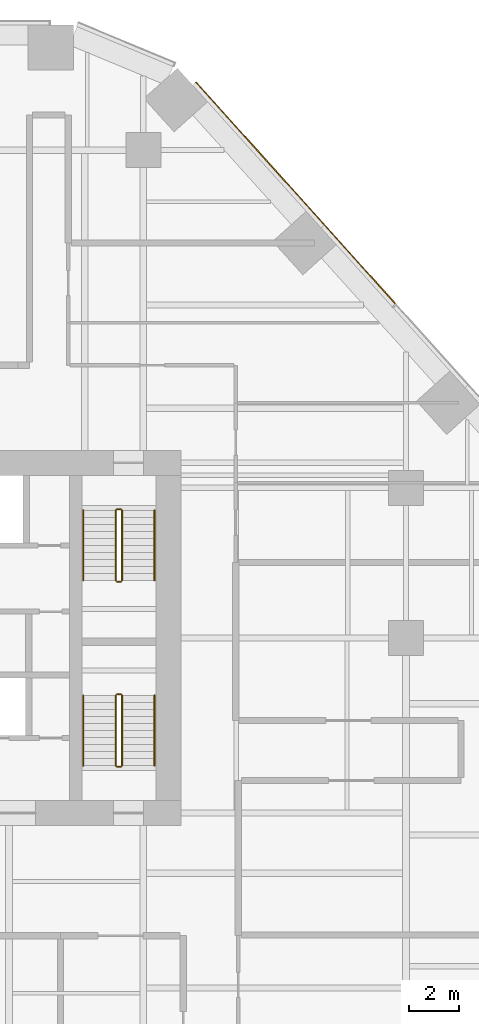
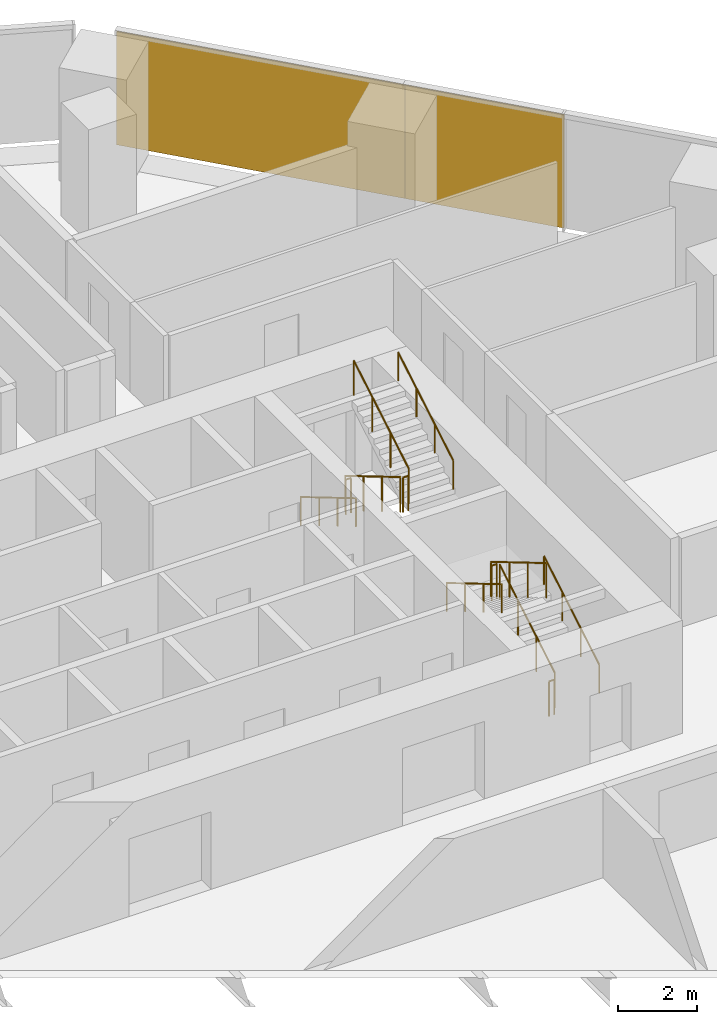
# One storey, part 20 of 21: 12 railings, 2 coverings, 1 element without a shape of its own.
"""IFC4 building model written with IfcOpenShell, lengths in metres."""

from ifc_helpers import new_model, si_unit, direction, frame, origin, origin_2d, place, context, subcontext, project, spatial, rectangle, circle, extrude, material, layer, layer_set, type_object, element, aggregate, save


model = new_model("IFC4")

# Units and contexts
model_context = context("Model", 3, precision=1e-05, world=origin(), true_north=direction((0.0, 1.0)))
body_context = subcontext(model_context, "Body", "Model", "MODEL_VIEW")
ifc_project = project(units=[si_unit("LENGTHUNIT", "METRE"), si_unit("AREAUNIT", "SQUARE_METRE"), si_unit("VOLUMEUNIT", "CUBIC_METRE"), si_unit("PLANEANGLEUNIT", "RADIAN"), si_unit("MASSUNIT", "GRAM", prefix="KILO")], contexts=[model_context])

# Site, building, storey
site_placement = place(None, origin())
site = spatial("IfcSite", under=ifc_project, at=site_placement, CompositionType="ELEMENT")
building_placement = place(site_placement, origin())
building = spatial("IfcBuilding", under=site, at=building_placement, Name="Isthmus Gate Tower", CompositionType="ELEMENT")
storey_placement = place(building_placement, frame((0.0, 0.0, 46.949951171875)))
storey = spatial("IfcBuildingStorey", under=building, at=storey_placement, Name="L09", CompositionType="ELEMENT", Elevation=46.949951171875)

# Curtain wall, coverings
ifc_material_1 = material(Name="Aluminium, pale champagne anodised", Category="aluminium")
ifc_layer_1 = layer(ifc_material_1, 0.199951171875)
ifc_layer_set_1 = layer_set([ifc_layer_1], Name="CW-1 UNITISED CURTAIN WALL 200 DEEP")
curtain_wall_type = type_object("IfcCurtainWallType", Name="CW-1 UNITISED CURTAIN WALL 200 DEEP", PredefinedType="NOTDEFINED", material=ifc_layer_set_1)
curtain_wall_placement = place(storey_placement, origin())
curtain_wall = element("IfcCurtainWall", 1, at=curtain_wall_placement, inside=storey, type_object=curtain_wall_type, Name="CW-1 NE L09", PredefinedType="NOTDEFINED")
ifc_material_2 = material(Name="Aluminium composite panel, pale champagne anodised", Category="aluminium")
ifc_layer_2 = layer(ifc_material_2, 0.0400390625)
ifc_layer_set_2 = layer_set([ifc_layer_2], Name="CW-1 PALE METAL PANEL 40")
covering_type = type_object("IfcCoveringType", Name="CW-1 PALE METAL PANEL 40", PredefinedType="CLADDING", material=ifc_layer_set_2)
covering_1_placement = place(storey_placement, frame((22.1630859375, 22.4326171875, 0.0), z_axis=(0.0, 0.0, 1.0), x_axis=(-0.669130606359, 0.743144825477, 0.0)))
covering_1 = element("IfcCovering", 2, at=covering_1_placement, type_object=covering_type, Name="CW-1 pale metal panel", PredefinedType="CLADDING", context=body_context, shape_type="SweptSolid", body=[
    extrude(rectangle(XDim=4.234619140625, YDim=0.0400390625, at=origin_2d()), origin(), (0.0, 0.0, 1.0), 3.5),
])
covering_2_placement = place(storey_placement, frame((18.173583984375, 26.86328125, 0.0), z_axis=(0.0, 0.0, 1.0), x_axis=(-0.669130606359, 0.743144825477, 0.0)))
covering_2 = element("IfcCovering", 3, at=covering_2_placement, type_object=covering_type, Name="CW-1 pale metal panel", PredefinedType="CLADDING", context=body_context, shape_type="SweptSolid", body=[
    extrude(rectangle(XDim=7.689453125, YDim=0.0400390625, at=origin_2d()), origin(), (0.0, 0.0, 1.0), 3.5),
])
aggregate(curtain_wall, [covering_1, covering_2])

# Railings
ifc_material_3 = material(Name="Stainless steel balustrade", Category="steel")
railing_type_1 = type_object("IfcRailingType", Name="STAIR GUARD 1100", PredefinedType="GUARDRAIL", material=ifc_material_3)
railing_1_placement = place(storey_placement, frame((12.39990234375, 12.60009765625, 0.166015625)))
element("IfcRailing", 4, at=railing_1_placement, inside=storey, type_object=railing_type_1, Name="L09 ST2 stair guard 1", PredefinedType="GUARDRAIL", context=body_context, shape_type="SweptSolid", body=[
    extrude(circle(Radius=0.02392578125, at=origin_2d()), frame((0.0, 0.0, 1.076171875), z_axis=(0.0, -0.860339051648, 0.50972219513), x_axis=(1.0, 0.0, 0.0)), (0.0, 0.0, 1.0), 3.254638671875),
    extrude(circle(Radius=0.02099609375, at=origin_2d()), origin(), (0.0, 0.0, 1.0), 1.052001953125),
    extrude(circle(Radius=0.02099609375, at=origin_2d()), frame((0.0, -0.933349609375, 0.552978515625)), (0.0, 0.0, 1.0), 1.052001953125),
    extrude(circle(Radius=0.02099609375, at=origin_2d()), frame((0.0, -1.86669921875, 1.10595703125)), (0.0, 0.0, 1.0), 1.052001953125),
    extrude(circle(Radius=0.02099609375, at=origin_2d()), frame((0.0, -2.800048828125, 1.658935546875)), (0.0, 0.0, 1.0), 1.052001953125),
])
railing_2_placement = place(storey_placement, frame((12.449951171875, 9.75, 1.824951171875)))
element("IfcRailing", 5, at=railing_2_placement, inside=storey, type_object=railing_type_1, Name="L09 ST2 stair guard 2", PredefinedType="GUARDRAIL", context=body_context, shape_type="SweptSolid", body=[
    extrude(circle(Radius=0.02392578125, at=origin_2d()), frame((0.0, 0.0, 1.076171875), z_axis=(1.0, 0.0, 0.0), x_axis=(0.0, 1.0, 0.0)), (0.0, 0.0, 1.0), 0.150146484375),
    extrude(circle(Radius=0.02099609375, at=origin_2d()), origin(), (0.0, 0.0, 1.0), 1.052001953125),
    extrude(circle(Radius=0.02099609375, at=origin_2d()), frame((0.150146484375, 0.0, 0.0)), (0.0, 0.0, 1.0), 1.052001953125),
])
railing_3_placement = place(storey_placement, frame((12.64990234375, 9.800048828125, 1.990966796875)))
element("IfcRailing", 6, at=railing_3_placement, inside=storey, type_object=railing_type_1, Name="L09 ST2 stair guard 3", PredefinedType="GUARDRAIL", context=body_context, shape_type="SweptSolid", body=[
    extrude(circle(Radius=0.02392578125, at=origin_2d()), frame((0.0, 0.0, 1.076171875), z_axis=(0.0, 0.860306154799, 0.50977771628), x_axis=(-1.0, 0.0, 0.0)), (0.0, 0.0, 1.0), 3.254638671875),
    extrude(circle(Radius=0.02099609375, at=origin_2d()), origin(), (0.0, 0.0, 1.0), 1.052001953125),
    extrude(circle(Radius=0.02099609375, at=origin_2d()), frame((0.0, 0.933349609375, 0.552978515625)), (0.0, 0.0, 1.0), 1.052001953125),
    extrude(circle(Radius=0.02099609375, at=origin_2d()), frame((0.0, 1.86669921875, 1.106201171875)), (0.0, 0.0, 1.0), 1.052001953125),
    extrude(circle(Radius=0.02099609375, at=origin_2d()), frame((0.0, 2.800048828125, 1.6591796875)), (0.0, 0.0, 1.0), 1.052001953125),
])
railing_4_placement = place(storey_placement, frame((12.449951171875, 12.64990234375, 0.0)))
element("IfcRailing", 7, at=railing_4_placement, inside=storey, type_object=railing_type_1, Name="L09 ST2 stair guard 4", PredefinedType="GUARDRAIL", context=body_context, shape_type="SweptSolid", body=[
    extrude(circle(Radius=0.02392578125, at=origin_2d()), frame((0.0, 0.0, 1.076171875), z_axis=(1.0, 0.0, 0.0), x_axis=(0.0, 1.0, 0.0)), (0.0, 0.0, 1.0), 0.150146484375),
    extrude(circle(Radius=0.02099609375, at=origin_2d()), origin(), (0.0, 0.0, 1.0), 1.052001953125),
    extrude(circle(Radius=0.02099609375, at=origin_2d()), frame((0.150146484375, 0.0, 0.0)), (0.0, 0.0, 1.0), 1.052001953125),
])
railing_5_placement = place(storey_placement, frame((12.64990234375, 2.39990234375, 0.166015625)))
element("IfcRailing", 8, at=railing_5_placement, inside=storey, type_object=railing_type_1, Name="L09 ST8 stair guard 1", PredefinedType="GUARDRAIL", context=body_context, shape_type="SweptSolid", body=[
    extrude(circle(Radius=0.02392578125, at=origin_2d()), frame((0.0, 0.0, 1.076171875), z_axis=(0.0, 0.860339051648, 0.50972219513), x_axis=(-1.0, 0.0, 0.0)), (0.0, 0.0, 1.0), 3.254638671875),
    extrude(circle(Radius=0.02099609375, at=origin_2d()), origin(), (0.0, 0.0, 1.0), 1.052001953125),
    extrude(circle(Radius=0.02099609375, at=origin_2d()), frame((0.0, 0.933349609375, 0.552978515625)), (0.0, 0.0, 1.0), 1.052001953125),
    extrude(circle(Radius=0.02099609375, at=origin_2d()), frame((0.0, 1.86669921875, 1.10595703125)), (0.0, 0.0, 1.0), 1.052001953125),
    extrude(circle(Radius=0.02099609375, at=origin_2d()), frame((0.0, 2.800048828125, 1.658935546875)), (0.0, 0.0, 1.0), 1.052001953125),
])
railing_6_placement = place(storey_placement, frame((12.60009765625, 5.25, 1.824951171875)))
element("IfcRailing", 9, at=railing_6_placement, inside=storey, type_object=railing_type_1, Name="L09 ST8 stair guard 2", PredefinedType="GUARDRAIL", context=body_context, shape_type="SweptSolid", body=[
    extrude(circle(Radius=0.02392578125, at=origin_2d()), frame((0.0, 0.0, 1.076171875), z_axis=(-1.0, 0.0, 0.0), x_axis=(0.0, -1.0, 0.0)), (0.0, 0.0, 1.0), 0.150146484375),
    extrude(circle(Radius=0.02099609375, at=origin_2d()), origin(), (0.0, 0.0, 1.0), 1.052001953125),
    extrude(circle(Radius=0.02099609375, at=origin_2d()), frame((-0.150146484375, 0.0, 0.0)), (0.0, 0.0, 1.0), 1.052001953125),
])
railing_7_placement = place(storey_placement, frame((12.39990234375, 5.199951171875, 1.990966796875)))
element("IfcRailing", 10, at=railing_7_placement, inside=storey, type_object=railing_type_1, Name="L09 ST8 stair guard 3", PredefinedType="GUARDRAIL", context=body_context, shape_type="SweptSolid", body=[
    extrude(circle(Radius=0.02392578125, at=origin_2d()), frame((0.0, 0.0, 1.076171875), z_axis=(0.0, -0.860306154799, 0.50977771628), x_axis=(1.0, 0.0, 0.0)), (0.0, 0.0, 1.0), 3.254638671875),
    extrude(circle(Radius=0.02099609375, at=origin_2d()), origin(), (0.0, 0.0, 1.0), 1.052001953125),
    extrude(circle(Radius=0.02099609375, at=origin_2d()), frame((0.0, -0.933349609375, 0.552978515625)), (0.0, 0.0, 1.0), 1.052001953125),
    extrude(circle(Radius=0.02099609375, at=origin_2d()), frame((0.0, -1.86669921875, 1.106201171875)), (0.0, 0.0, 1.0), 1.052001953125),
    extrude(circle(Radius=0.02099609375, at=origin_2d()), frame((0.0, -2.800048828125, 1.6591796875)), (0.0, 0.0, 1.0), 1.052001953125),
])
railing_8_placement = place(storey_placement, frame((12.60009765625, 2.35009765625, 0.0)))
element("IfcRailing", 11, at=railing_8_placement, inside=storey, type_object=railing_type_1, Name="L09 ST8 stair guard 4", PredefinedType="GUARDRAIL", context=body_context, shape_type="SweptSolid", body=[
    extrude(circle(Radius=0.02392578125, at=origin_2d()), frame((0.0, 0.0, 1.076171875), z_axis=(-1.0, 0.0, 0.0), x_axis=(0.0, -1.0, 0.0)), (0.0, 0.0, 1.0), 0.150146484375),
    extrude(circle(Radius=0.02099609375, at=origin_2d()), origin(), (0.0, 0.0, 1.0), 1.052001953125),
    extrude(circle(Radius=0.02099609375, at=origin_2d()), frame((-0.150146484375, 0.0, 0.0)), (0.0, 0.0, 1.0), 1.052001953125),
])
ifc_material_4 = material(Name="Stainless steel handrail", Category="steel")
railing_type_2 = type_object("IfcRailingType", Name="STAIR HANDRAIL 900", PredefinedType="HANDRAIL", material=ifc_material_4)
railing_9_placement = place(storey_placement, frame((11.10009765625, 12.60009765625, 0.166015625)))
element("IfcRailing", 12, at=railing_9_placement, inside=storey, type_object=railing_type_2, Name="L09 ST2 stair handrail 1", PredefinedType="HANDRAIL", context=body_context, shape_type="SweptSolid", body=[
    extrude(circle(Radius=0.02392578125, at=origin_2d()), frame((0.0, 0.0, 0.8759765625), z_axis=(0.0, -0.860339051648, 0.50972219513), x_axis=(1.0, 0.0, 0.0)), (0.0, 0.0, 1.0), 3.254638671875),
    extrude(circle(Radius=0.02099609375, at=origin_2d()), origin(), (0.0, 0.0, 1.0), 0.851806640625),
    extrude(circle(Radius=0.02099609375, at=origin_2d()), frame((0.0, -0.933349609375, 0.552978515625)), (0.0, 0.0, 1.0), 0.851806640625),
    extrude(circle(Radius=0.02099609375, at=origin_2d()), frame((0.0, -1.86669921875, 1.10595703125)), (0.0, 0.0, 1.0), 0.851806640625),
    extrude(circle(Radius=0.02099609375, at=origin_2d()), frame((0.0, -2.800048828125, 1.658935546875)), (0.0, 0.0, 1.0), 0.851806640625),
])
railing_10_placement = place(storey_placement, frame((13.949951171875, 9.800048828125, 1.990966796875)))
element("IfcRailing", 13, at=railing_10_placement, inside=storey, type_object=railing_type_2, Name="L09 ST2 stair handrail 2", PredefinedType="HANDRAIL", context=body_context, shape_type="SweptSolid", body=[
    extrude(circle(Radius=0.02392578125, at=origin_2d()), frame((0.0, 0.0, 0.8759765625), z_axis=(0.0, 0.860306154799, 0.50977771628), x_axis=(-1.0, 0.0, 0.0)), (0.0, 0.0, 1.0), 3.254638671875),
    extrude(circle(Radius=0.02099609375, at=origin_2d()), origin(), (0.0, 0.0, 1.0), 0.851806640625),
    extrude(circle(Radius=0.02099609375, at=origin_2d()), frame((0.0, 0.933349609375, 0.552978515625)), (0.0, 0.0, 1.0), 0.851806640625),
    extrude(circle(Radius=0.02099609375, at=origin_2d()), frame((0.0, 1.86669921875, 1.106201171875)), (0.0, 0.0, 1.0), 0.851806640625),
    extrude(circle(Radius=0.02099609375, at=origin_2d()), frame((0.0, 2.800048828125, 1.6591796875)), (0.0, 0.0, 1.0), 0.851806640625),
])
railing_11_placement = place(storey_placement, frame((13.949951171875, 2.39990234375, 0.166015625)))
element("IfcRailing", 14, at=railing_11_placement, inside=storey, type_object=railing_type_2, Name="L09 ST8 stair handrail 1", PredefinedType="HANDRAIL", context=body_context, shape_type="SweptSolid", body=[
    extrude(circle(Radius=0.02392578125, at=origin_2d()), frame((0.0, 0.0, 0.8759765625), z_axis=(0.0, 0.860339051648, 0.50972219513), x_axis=(-1.0, 0.0, 0.0)), (0.0, 0.0, 1.0), 3.254638671875),
    extrude(circle(Radius=0.02099609375, at=origin_2d()), origin(), (0.0, 0.0, 1.0), 0.851806640625),
    extrude(circle(Radius=0.02099609375, at=origin_2d()), frame((0.0, 0.933349609375, 0.552978515625)), (0.0, 0.0, 1.0), 0.851806640625),
    extrude(circle(Radius=0.02099609375, at=origin_2d()), frame((0.0, 1.86669921875, 1.10595703125)), (0.0, 0.0, 1.0), 0.851806640625),
    extrude(circle(Radius=0.02099609375, at=origin_2d()), frame((0.0, 2.800048828125, 1.658935546875)), (0.0, 0.0, 1.0), 0.851806640625),
])
railing_12_placement = place(storey_placement, frame((11.10009765625, 5.199951171875, 1.990966796875)))
element("IfcRailing", 15, at=railing_12_placement, inside=storey, type_object=railing_type_2, Name="L09 ST8 stair handrail 2", PredefinedType="HANDRAIL", context=body_context, shape_type="SweptSolid", body=[
    extrude(circle(Radius=0.02392578125, at=origin_2d()), frame((0.0, 0.0, 0.8759765625), z_axis=(0.0, -0.860306154799, 0.50977771628), x_axis=(1.0, 0.0, 0.0)), (0.0, 0.0, 1.0), 3.254638671875),
    extrude(circle(Radius=0.02099609375, at=origin_2d()), origin(), (0.0, 0.0, 1.0), 0.851806640625),
    extrude(circle(Radius=0.02099609375, at=origin_2d()), frame((0.0, -0.933349609375, 0.552978515625)), (0.0, 0.0, 1.0), 0.851806640625),
    extrude(circle(Radius=0.02099609375, at=origin_2d()), frame((0.0, -1.86669921875, 1.106201171875)), (0.0, 0.0, 1.0), 0.851806640625),
    extrude(circle(Radius=0.02099609375, at=origin_2d()), frame((0.0, -2.800048828125, 1.6591796875)), (0.0, 0.0, 1.0), 0.851806640625),
])

save(model, "model.ifc")
